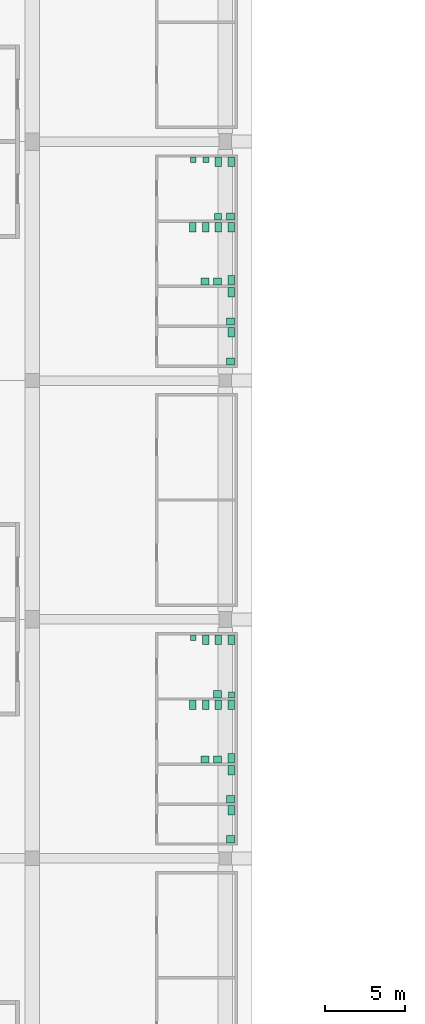
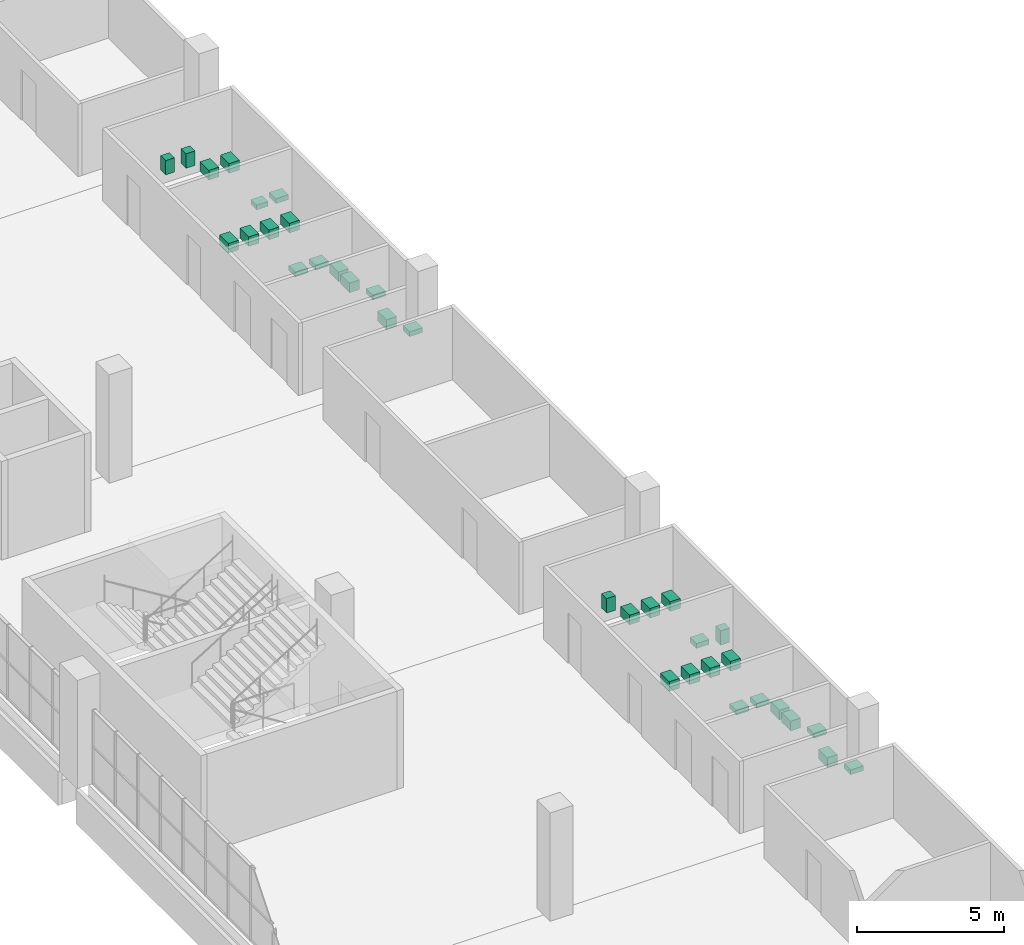
# One storey, part 196 of 199: 34 sanitary terminals.
"""IFC4 building model written with IfcOpenShell, lengths in metres."""

from ifc_helpers import new_model, si_unit, direction, frame, origin, origin_2d, place, context, subcontext, project, spatial, rectangle, extrude, material, type_object, element, save


model = new_model("IFC4")

# Units and contexts
model_context = context("Model", 3, precision=1e-05, world=origin(), true_north=direction((0.0, 1.0)))
body_context = subcontext(model_context, "Body", "Model", "MODEL_VIEW")
ifc_project = project(units=[si_unit("LENGTHUNIT", "METRE"), si_unit("AREAUNIT", "SQUARE_METRE"), si_unit("VOLUMEUNIT", "CUBIC_METRE"), si_unit("PLANEANGLEUNIT", "RADIAN"), si_unit("MASSUNIT", "GRAM", prefix="KILO")], contexts=[model_context])

# Site, building, storey
site_placement = place(None, origin())
site = spatial("IfcSite", under=ifc_project, at=site_placement, CompositionType="ELEMENT")
building_placement = place(site_placement, origin())
building = spatial("IfcBuilding", under=site, at=building_placement, Name="Ogive Plaza Stadium", CompositionType="ELEMENT")
storey_placement = place(building_placement, frame((0.0, 0.0, 4.5)))
storey = spatial("IfcBuildingStorey", under=building, at=storey_placement, Name="L01", CompositionType="ELEMENT", Elevation=4.5)

# Sanitary terminals
ifc_material_1 = material(Name="Vitreous china", Category="ceramic")
sanitary_terminal_type_1 = type_object("IfcSanitaryTerminalType", Name="Drinking fountain", PredefinedType="SANITARYFOUNTAIN", material=ifc_material_1)
sanitary_terminal_placement = place(storey_placement, frame((-62.35009765625, 17.782958984375, 0.7998046875), z_axis=(0.0, 0.0, 1.0), x_axis=(-1.0, 0.0, 0.0)))
element("IfcSanitaryTerminal", 1, at=sanitary_terminal_placement, inside=storey, type_object=sanitary_terminal_type_1, Name="Drinking fountain L01-081", PredefinedType="SANITARYFOUNTAIN", context=body_context, shape_type="SweptSolid", body=[
    extrude(rectangle(XDim=0.449951171875, YDim=0.39990234375, at=origin_2d()), origin(), (0.0, 0.0, 1.0), 0.199951171875),
])
ifc_material_2 = material(Name="Vitreous china", Category="ceramic")
sanitary_terminal_type_2 = type_object("IfcSanitaryTerminalType", Name="Lavatory", PredefinedType="WASHHANDBASIN", material=ifc_material_2)
for number, where, z_axis, x_axis, name in (
    (2, (-62.375, -12.19189453125, 0.7998046875), (0.0, 0.0, 1.0), (-1.0, 0.0, 0.0), "Lavatory L01-075"),
    (3, (-61.574951171875, 17.80810546875, 0.7998046875), (0.0, 0.0, 1.0), (-1.0, 0.0, 0.0), "Lavatory L01-081"),
    (4, (-62.375, -16.283935546875, 0.7998046875), (0.0, 0.0, 1.0), (-1.0, 0.0, 0.0), "Lavatory L01-076"),
    (5, (-63.175048828125, -16.283935546875, 0.7998046875), (0.0, 0.0, 1.0), (-1.0, 0.0, 0.0), "Lavatory L01-076"),
    (6, (-62.375, 13.716064453125, 0.7998046875), (0.0, 0.0, 1.0), (-1.0, 0.0, 0.0), "Lavatory L01-082"),
    (7, (-63.175048828125, 13.716064453125, 0.7998046875), (0.0, 0.0, 1.0), (-1.0, 0.0, 0.0), "Lavatory L01-082"),
    (8, (-61.574951171875, -18.7919921875, 0.7998046875), (0.0, 0.0, 1.0), (-1.0, 0.0, 0.0), "Lavatory L01-077"),
    (9, (-61.574951171875, -21.300048828125, 0.7998046875), (0.0, 0.0, 1.0), (-1.0, 0.0, 0.0), "Lavatory L01-078"),
    (10, (-61.574951171875, 11.2080078125, 0.7998046875), (0.0, 0.0, 1.0), (-1.0, 0.0, 0.0), "Lavatory L01-083"),
    (11, (-61.574951171875, 8.699951171875, 0.7998046875), (0.0, 0.0, 1.0), (-1.0, 0.0, 0.0), "Lavatory L01-084"),
):
    element("IfcSanitaryTerminal", number, at=place(storey_placement, frame(where, z_axis=z_axis, x_axis=x_axis)), inside=storey, type_object=sanitary_terminal_type_2, Name=name, PredefinedType="WASHHANDBASIN", context=body_context, shape_type="SweptSolid", body=[
        extrude(rectangle(XDim=0.5, YDim=0.449951171875, at=origin_2d()), origin(), (0.0, 0.0, 1.0), 0.199951171875),
    ])
ifc_material_3 = material(Name="Vitreous china", Category="ceramic")
sanitary_terminal_type_3 = type_object("IfcSanitaryTerminalType", Name="Urinal", PredefinedType="URINAL", material=ifc_material_3)
for number, where, z_axis, x_axis, name in (
    (12, (-63.89990234375, -8.64990234375, 0.599853515625), (0.0, 0.0, 1.0), (-1.0, 0.0, 0.0), "Urinal L01-075"),
    (13, (-61.5, -12.241943359375, 0.599853515625), (0.0, 0.0, 1.0), (-1.0, 0.0, 0.0), "Urinal L01-075"),
    (14, (-63.10009765625, 21.35009765625, 0.599853515625), (0.0, 0.0, 1.0), (-1.0, 0.0, 0.0), "Urinal L01-081"),
    (15, (-63.89990234375, 21.35009765625, 0.599853515625), (0.0, 0.0, 1.0), (-1.0, 0.0, 0.0), "Urinal L01-081"),
):
    element("IfcSanitaryTerminal", number, at=place(storey_placement, frame(where, z_axis=z_axis, x_axis=x_axis)), inside=storey, type_object=sanitary_terminal_type_3, Name=name, PredefinedType="URINAL", context=body_context, shape_type="SweptSolid", body=[
        extrude(rectangle(XDim=0.35009765625, YDim=0.35009765625, at=origin_2d()), origin(), (0.0, 0.0, 1.0), 0.60009765625),
    ])
ifc_material_4 = material(Name="Vitreous china", Category="ceramic")
sanitary_terminal_type_4 = type_object("IfcSanitaryTerminalType", Name="Water closet", PredefinedType="TOILETPAN", material=ifc_material_4)
for number, where, z_axis, x_axis, name in (
    (16, (-61.52490234375, -8.77490234375, 0.0), (0.0, 0.0, 1.0), (-1.0, 0.0, 0.0), "Water closet L01-075"),
    (17, (-62.324951171875, -8.77490234375, 0.0), (0.0, 0.0, 1.0), (-1.0, 0.0, 0.0), "Water closet L01-075"),
    (18, (-63.125, -8.77490234375, 0.0), (0.0, 0.0, 1.0), (-1.0, 0.0, 0.0), "Water closet L01-075"),
    (19, (-61.52490234375, 21.22509765625, 0.0), (0.0, 0.0, 1.0), (-1.0, 0.0, 0.0), "Water closet L01-081"),
    (20, (-62.324951171875, 21.22509765625, 0.0), (0.0, 0.0, 1.0), (-1.0, 0.0, 0.0), "Water closet L01-081"),
    (21, (-61.52490234375, -12.866943359375, 0.0), (0.0, 0.0, 1.0), (-1.0, 0.0, 0.0), "Water closet L01-076"),
    (22, (-62.324951171875, -12.866943359375, 0.0), (0.0, 0.0, 1.0), (-1.0, 0.0, 0.0), "Water closet L01-076"),
    (23, (-63.125, -12.866943359375, 0.0), (0.0, 0.0, 1.0), (-1.0, 0.0, 0.0), "Water closet L01-076"),
    (24, (-63.925048828125, -12.866943359375, 0.0), (0.0, 0.0, 1.0), (-1.0, 0.0, 0.0), "Water closet L01-076"),
    (25, (-61.52490234375, -16.208984375, 0.0), (0.0, 0.0, 1.0), (-1.0, 0.0, 0.0), "Water closet L01-076"),
    (26, (-61.52490234375, 17.133056640625, 0.0), (0.0, 0.0, 1.0), (-1.0, 0.0, 0.0), "Water closet L01-082"),
    (27, (-62.324951171875, 17.133056640625, 0.0), (0.0, 0.0, 1.0), (-1.0, 0.0, 0.0), "Water closet L01-082"),
    (28, (-63.125, 17.133056640625, 0.0), (0.0, 0.0, 1.0), (-1.0, 0.0, 0.0), "Water closet L01-082"),
    (29, (-63.925048828125, 17.133056640625, 0.0), (0.0, 0.0, 1.0), (-1.0, 0.0, 0.0), "Water closet L01-082"),
    (30, (-61.52490234375, 13.791015625, 0.0), (0.0, 0.0, 1.0), (-1.0, 0.0, 0.0), "Water closet L01-082"),
    (31, (-61.52490234375, -16.958984375, 0.0), (0.0, 0.0, 1.0), (-1.0, 0.0, 0.0), "Water closet L01-077"),
    (32, (-61.52490234375, -19.467041015625, 0.0), (0.0, 0.0, 1.0), (-1.0, 0.0, 0.0), "Water closet L01-078"),
    (33, (-61.52490234375, 13.041015625, 0.0), (0.0, 0.0, 1.0), (-1.0, 0.0, 0.0), "Water closet L01-083"),
    (34, (-61.52490234375, 10.532958984375, 0.0), (0.0, 0.0, 1.0), (-1.0, 0.0, 0.0), "Water closet L01-084"),
):
    element("IfcSanitaryTerminal", number, at=place(storey_placement, frame(where, z_axis=z_axis, x_axis=x_axis)), inside=storey, type_object=sanitary_terminal_type_4, Name=name, PredefinedType="TOILETPAN", context=body_context, shape_type="SweptSolid", body=[
        extrude(rectangle(XDim=0.39990234375, YDim=0.60009765625, at=origin_2d()), origin(), (0.0, 0.0, 1.0), 0.39990234375),
    ])

save(model, "model.ifc")
